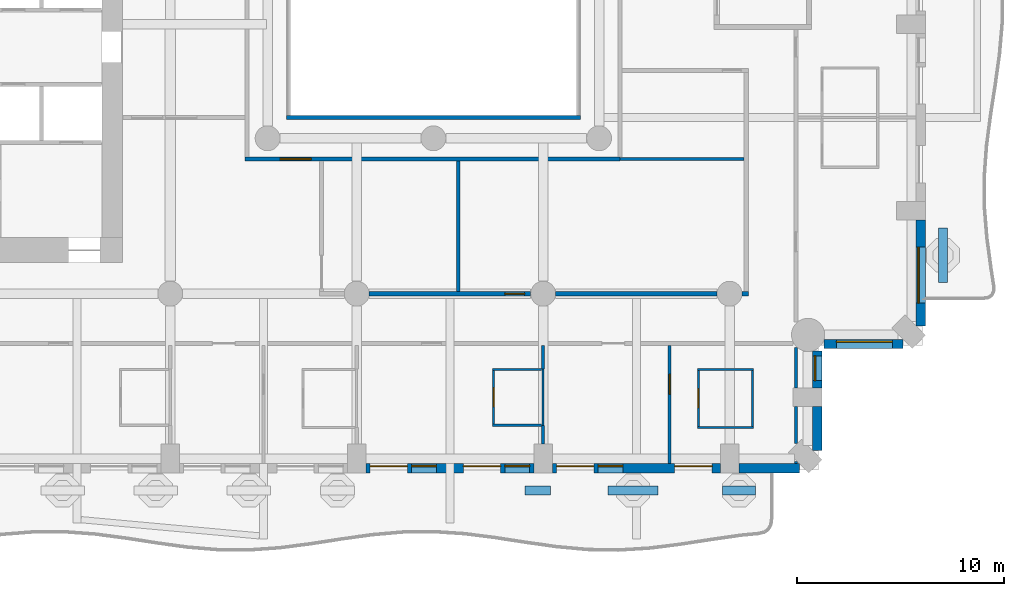
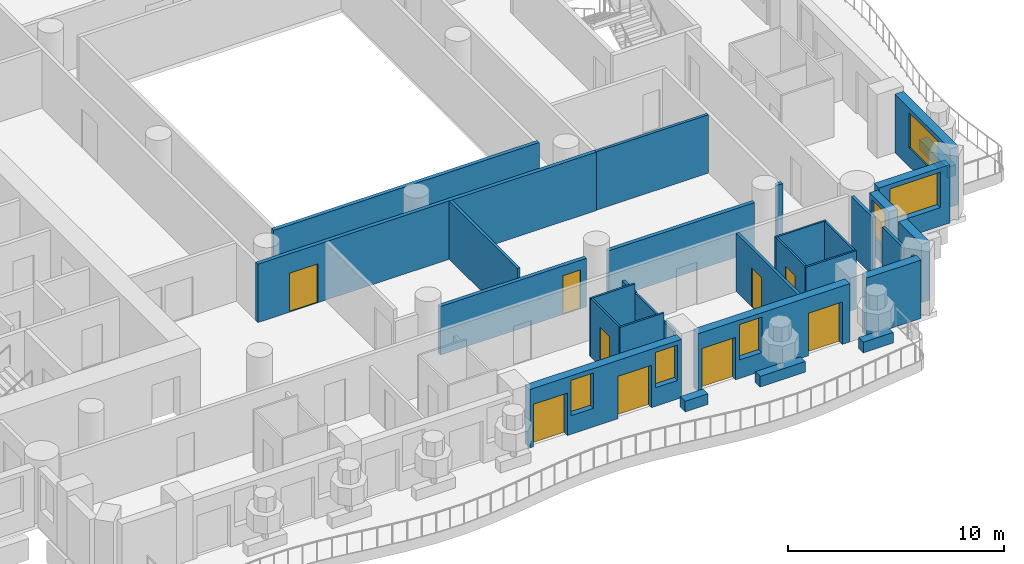
# One storey, part 7 of 24: 32 walls, 9 doors, 6 windows, 15 openings.
"""IFC4 building model written with IfcOpenShell, lengths in metres."""

from ifc_helpers import new_model, si_unit, direction, frame, frame_2d, origin, place, context, subcontext, project, spatial, rectangle, extrude, material, layer, layer_set, type_object, element, fill, save


model = new_model("IFC4")

# Units and contexts
model_context = context("Model", 3, precision=1e-05, world=origin(), true_north=direction((0.0, 1.0)))
body_context = subcontext(model_context, "Body", "Model", "MODEL_VIEW")
ifc_project = project(units=[si_unit("LENGTHUNIT", "METRE"), si_unit("AREAUNIT", "SQUARE_METRE"), si_unit("VOLUMEUNIT", "CUBIC_METRE"), si_unit("PLANEANGLEUNIT", "RADIAN"), si_unit("MASSUNIT", "GRAM", prefix="KILO")], contexts=[model_context])

# Site, building, storey
site_placement = place(None, origin())
site = spatial("IfcSite", under=ifc_project, at=site_placement, CompositionType="ELEMENT")
building_placement = place(site_placement, origin())
building = spatial("IfcBuilding", under=site, at=building_placement, Name="Cypress Arch Tower", CompositionType="ELEMENT")
storey_placement = place(building_placement, frame((0.0, 0.0, 102.300048828125)))
storey = spatial("IfcBuildingStorey", under=building, at=storey_placement, Name="L20", CompositionType="ELEMENT", Elevation=102.300048828125)

# Walls
ifc_material_1 = material(Name="Concrete C40/50, waterproofed", Category="concrete")
ifc_layer_1 = layer(ifc_material_1, 0.449951171875)
ifc_layer_set_1 = layer_set([ifc_layer_1], Name="Balcony planter wall PW450")
wall_type_1 = type_object("IfcWallType", Name="Balcony planter wall PW450", PredefinedType="SOLIDWALL", material=ifc_layer_set_1)
wall_1_placement = place(storey_placement, frame((5.419921875, -27.0, 0.0), z_axis=(0.0, 0.0, 1.0), x_axis=(1.0, 0.0, 0.0)))
element("IfcWall", 1, at=wall_1_placement, inside=storey, type_object=wall_type_1, Name="Balcony planter wall L20-A03.5", PredefinedType="SOLIDWALL", context=body_context, shape_type="SweptSolid", body=[
    extrude(rectangle(XDim=1.22998046875, YDim=0.449951171875, at=frame_2d((0.614990234375, 0.0))), origin(), (0.0, 0.0, 1.0), 0.599853515625),
])
wall_2_placement = place(storey_placement, frame((9.429931640625, -27.0, 0.0), z_axis=(0.0, 0.0, 1.0), x_axis=(1.0, 0.0, 0.0)))
element("IfcWall", 2, at=wall_2_placement, inside=storey, type_object=wall_type_1, Name="Balcony planter wall L20-A03.6", PredefinedType="SOLIDWALL", context=body_context, shape_type="SweptSolid", body=[
    extrude(rectangle(XDim=2.420166015625, YDim=0.449951171875, at=frame_2d((1.2099609375, 0.0))), origin(), (0.0, 0.0, 1.0), 0.599853515625),
])
wall_3_placement = place(storey_placement, frame((14.949951171875, -27.0, 0.0), z_axis=(0.0, 0.0, 1.0), x_axis=(1.0, 0.0, 0.0)))
element("IfcWall", 3, at=wall_3_placement, inside=storey, type_object=wall_type_1, Name="Balcony planter wall L20-A03.7", PredefinedType="SOLIDWALL", context=body_context, shape_type="SweptSolid", body=[
    extrude(rectangle(XDim=1.60009765625, YDim=0.449951171875, at=frame_2d((0.800048828125, 0.0))), origin(), (0.0, 0.0, 1.0), 0.599853515625),
])
wall_4_placement = place(storey_placement, frame((25.60009765625, -16.949951171875, 0.0), z_axis=(0.0, 0.0, 1.0), x_axis=(0.0, 1.0, 0.0)))
element("IfcWall", 4, at=wall_4_placement, inside=storey, type_object=wall_type_1, Name="Balcony planter wall L20-A06.1", PredefinedType="SOLIDWALL", context=body_context, shape_type="SweptSolid", body=[
    extrude(rectangle(XDim=2.6142578125, YDim=0.449951171875, at=frame_2d((1.30712890625, 0.0))), origin(), (0.0, 0.0, 1.0), 0.599853515625),
])

# Wall, openings, doors, windows
ifc_material_2 = material(Name="Brick (red buff blend)", Category="masonry")
ifc_layer_2 = layer(ifc_material_2, 0.449951171875)
ifc_layer_set_2 = layer_set([ifc_layer_2], Name="Brick pier and spandrel wall BW450")
wall_type_2 = type_object("IfcWallType", Name="Brick pier and spandrel wall BW450", PredefinedType="SOLIDWALL", material=ifc_layer_set_2)
wall_5_placement = place(storey_placement, frame((-2.25, -25.925048828125, 0.0), z_axis=(0.0, 0.0, 1.0), x_axis=(1.0, 0.0, 0.0)))
wall_5 = element("IfcWall", 5, at=wall_5_placement, inside=storey, type_object=wall_type_2, Name="Brick wall L20 A03.3", PredefinedType="SOLIDWALL", context=body_context, shape_type="SweptSolid", body=[
    extrude(rectangle(XDim=8.10009765625, YDim=0.449951171875, at=frame_2d((4.050048828125, 0.0))), origin(), (0.0, 0.0, 1.0), 3.300048828125),
])
opening_1_placement = place(wall_5_placement, frame((0.199951171875, 0.0, 0.0)))
opening_1 = element("IfcOpeningElement", 6, at=opening_1_placement, cuts=wall_5, Name="Opening D-L20-A03.3.1", PredefinedType="OPENING", context=body_context, shape_type="SweptSolid", body=[
    extrude(rectangle(XDim=1.800048828125, YDim=2.39990234375, at=frame_2d((0.89990234375, 1.199951171875))), frame((0.0, 0.23486328125, 0.0), z_axis=(0.0, -1.0, 0.0), x_axis=(1.0, 0.0, 0.0)), (0.0, 0.0, 1.0), 0.469970703125),
])
opening_2_placement = place(wall_5_placement, frame((2.199951171875, 0.0, 1.050048828125)))
opening_2 = element("IfcOpeningElement", 7, at=opening_2_placement, cuts=wall_5, Name="Opening W120HD", PredefinedType="OPENING", context=body_context, shape_type="SweptSolid", body=[
    extrude(rectangle(XDim=1.199951171875, YDim=2.0, at=frame_2d((0.60009765625, 1.0))), frame((0.0, 0.23486328125, 0.0), z_axis=(0.0, -1.0, 0.0), x_axis=(1.0, 0.0, 0.0)), (0.0, 0.0, 1.0), 0.469970703125),
])
opening_3_placement = place(wall_5_placement, frame((4.699951171875, 0.0, 0.0)))
opening_3 = element("IfcOpeningElement", 8, at=opening_3_placement, cuts=wall_5, Name="Opening D-L20-A03.3.2", PredefinedType="OPENING", context=body_context, shape_type="SweptSolid", body=[
    extrude(rectangle(XDim=1.800048828125, YDim=2.39990234375, at=frame_2d((0.89990234375, 1.199951171875))), frame((0.0, 0.23486328125, 0.0), z_axis=(0.0, -1.0, 0.0), x_axis=(1.0, 0.0, 0.0)), (0.0, 0.0, 1.0), 0.469970703125),
])
opening_4_placement = place(wall_5_placement, frame((6.699951171875, 0.0, 1.050048828125)))
opening_4 = element("IfcOpeningElement", 9, at=opening_4_placement, cuts=wall_5, Name="Opening W120HD", PredefinedType="OPENING", context=body_context, shape_type="SweptSolid", body=[
    extrude(rectangle(XDim=1.199951171875, YDim=2.0, at=frame_2d((0.60009765625, 1.0))), frame((0.0, 0.23486328125, 0.0), z_axis=(0.0, -1.0, 0.0), x_axis=(1.0, 0.0, 0.0)), (0.0, 0.0, 1.0), 0.469970703125),
])
ifc_material_3 = material(Name="Anodised aluminium, bronze finish, laminated low-emissivity double glazing, large-missile impact rated", Category="aluminium")
door_type_1 = type_object("IfcDoorType", Name="Balcony sliding door 1800x2400", OperationType="SLIDING_TO_LEFT", PredefinedType="DOOR", material=ifc_material_3)
door_1_placement = place(opening_1_placement, origin())
door_1 = element("IfcDoor", 10, at=door_1_placement, inside=storey, type_object=door_type_1, Name="Balcony door L20 A03.3.1", OperationType="SLIDING_TO_LEFT", OverallHeight=2.39990234375, OverallWidth=1.800048828125, PredefinedType="DOOR", context=body_context, shape_type="SweptSolid", body=[
    extrude(rectangle(XDim=1.800048828125, YDim=2.39990234375, at=frame_2d((0.89990234375, 1.199951171875))), frame((0.0, 0.1298828125, 0.0), z_axis=(0.0, -1.0, 0.0), x_axis=(1.0, 0.0, 0.0)), (0.0, 0.0, 1.0), 0.050048828125),
])
fill(opening_1, door_1)
door_2_placement = place(opening_3_placement, origin())
door_2 = element("IfcDoor", 11, at=door_2_placement, inside=storey, type_object=door_type_1, Name="Balcony door L20 A03.3.2", OperationType="SLIDING_TO_LEFT", OverallHeight=2.39990234375, OverallWidth=1.800048828125, PredefinedType="DOOR", context=body_context, shape_type="SweptSolid", body=[
    extrude(rectangle(XDim=1.800048828125, YDim=2.39990234375, at=frame_2d((0.89990234375, 1.199951171875))), frame((0.0, 0.1298828125, 0.0), z_axis=(0.0, -1.0, 0.0), x_axis=(1.0, 0.0, 0.0)), (0.0, 0.0, 1.0), 0.050048828125),
])
fill(opening_3, door_2)
ifc_material_4 = material(Name="Anodised aluminium, bronze finish, laminated low-emissivity double glazing, large-missile impact rated", Category="aluminium")
window_type_1 = type_object("IfcWindowType", Name="Window Hotel 1200x2000 debris-rated", PartitioningType="SINGLE_PANEL", PredefinedType="WINDOW", material=ifc_material_4)
window_1_placement = place(opening_2_placement, origin())
window_1 = element("IfcWindow", 12, at=window_1_placement, inside=storey, type_object=window_type_1, Name="Window L20 A03.3.1", OverallHeight=2.0, OverallWidth=1.199951171875, PartitioningType="SINGLE_PANEL", PredefinedType="WINDOW", context=body_context, shape_type="SweptSolid", body=[
    extrude(rectangle(XDim=1.199951171875, YDim=2.0, at=frame_2d((0.60009765625, 1.0))), frame((0.0, 0.135009765625, 0.0), z_axis=(0.0, -1.0, 0.0), x_axis=(1.0, 0.0, 0.0)), (0.0, 0.0, 1.0), 0.06005859375),
])
fill(opening_2, window_1)
window_2_placement = place(opening_4_placement, origin())
window_2 = element("IfcWindow", 13, at=window_2_placement, inside=storey, type_object=window_type_1, Name="Window L20 A03.3.2", OverallHeight=2.0, OverallWidth=1.199951171875, PartitioningType="SINGLE_PANEL", PredefinedType="WINDOW", context=body_context, shape_type="SweptSolid", body=[
    extrude(rectangle(XDim=1.199951171875, YDim=2.0, at=frame_2d((0.60009765625, 1.0))), frame((0.0, 0.135009765625, 0.0), z_axis=(0.0, -1.0, 0.0), x_axis=(1.0, 0.0, 0.0)), (0.0, 0.0, 1.0), 0.06005859375),
])
fill(opening_4, window_2)

# Wall, openings, doors, window
wall_6_placement = place(storey_placement, frame((6.75, -25.925048828125, 0.0), z_axis=(0.0, 0.0, 1.0), x_axis=(1.0, 0.0, 0.0)))
wall_6 = element("IfcWall", 14, at=wall_6_placement, inside=storey, type_object=wall_type_2, Name="Brick wall L20 A03.4", PredefinedType="SOLIDWALL", context=body_context, shape_type="SweptSolid", body=[
    extrude(rectangle(XDim=8.10009765625, YDim=0.449951171875, at=frame_2d((4.050048828125, 0.0))), origin(), (0.0, 0.0, 1.0), 3.300048828125),
])
opening_5_placement = place(wall_6_placement, frame((0.199951171875, 0.0, 0.0)))
opening_5 = element("IfcOpeningElement", 15, at=opening_5_placement, cuts=wall_6, Name="Opening D-L20-A03.4.1", PredefinedType="OPENING", context=body_context, shape_type="SweptSolid", body=[
    extrude(rectangle(XDim=1.800048828125, YDim=2.39990234375, at=frame_2d((0.89990234375, 1.199951171875))), frame((0.0, 0.23486328125, 0.0), z_axis=(0.0, -1.0, 0.0), x_axis=(1.0, 0.0, 0.0)), (0.0, 0.0, 1.0), 0.469970703125),
])
opening_6_placement = place(wall_6_placement, frame((2.199951171875, 0.0, 1.050048828125)))
opening_6 = element("IfcOpeningElement", 16, at=opening_6_placement, cuts=wall_6, Name="Opening W120HD", PredefinedType="OPENING", context=body_context, shape_type="SweptSolid", body=[
    extrude(rectangle(XDim=1.199951171875, YDim=2.0, at=frame_2d((0.60009765625, 1.0))), frame((0.0, 0.23486328125, 0.0), z_axis=(0.0, -1.0, 0.0), x_axis=(1.0, 0.0, 0.0)), (0.0, 0.0, 1.0), 0.469970703125),
])
opening_7_placement = place(wall_6_placement, frame((5.89990234375, 0.0, 0.0)))
opening_7 = element("IfcOpeningElement", 17, at=opening_7_placement, cuts=wall_6, Name="Opening D-L20-A03.4.2", PredefinedType="OPENING", context=body_context, shape_type="SweptSolid", body=[
    extrude(rectangle(XDim=1.800048828125, YDim=2.39990234375, at=frame_2d((0.89990234375, 1.199951171875))), frame((0.0, 0.23486328125, 0.0), z_axis=(0.0, -1.0, 0.0), x_axis=(1.0, 0.0, 0.0)), (0.0, 0.0, 1.0), 0.469970703125),
])
door_3_placement = place(opening_5_placement, origin())
door_3 = element("IfcDoor", 18, at=door_3_placement, inside=storey, type_object=door_type_1, Name="Balcony door L20 A03.4.1", OperationType="SLIDING_TO_LEFT", OverallHeight=2.39990234375, OverallWidth=1.800048828125, PredefinedType="DOOR", context=body_context, shape_type="SweptSolid", body=[
    extrude(rectangle(XDim=1.800048828125, YDim=2.39990234375, at=frame_2d((0.89990234375, 1.199951171875))), frame((0.0, 0.1298828125, 0.0), z_axis=(0.0, -1.0, 0.0), x_axis=(1.0, 0.0, 0.0)), (0.0, 0.0, 1.0), 0.050048828125),
])
fill(opening_5, door_3)
door_4_placement = place(opening_7_placement, origin())
door_4 = element("IfcDoor", 19, at=door_4_placement, inside=storey, type_object=door_type_1, Name="Balcony door L20 A03.4.2", OperationType="SLIDING_TO_LEFT", OverallHeight=2.39990234375, OverallWidth=1.800048828125, PredefinedType="DOOR", context=body_context, shape_type="SweptSolid", body=[
    extrude(rectangle(XDim=1.800048828125, YDim=2.39990234375, at=frame_2d((0.89990234375, 1.199951171875))), frame((0.0, 0.1298828125, 0.0), z_axis=(0.0, -1.0, 0.0), x_axis=(1.0, 0.0, 0.0)), (0.0, 0.0, 1.0), 0.050048828125),
])
fill(opening_7, door_4)
window_3_placement = place(opening_6_placement, origin())
window_3 = element("IfcWindow", 20, at=window_3_placement, inside=storey, type_object=window_type_1, Name="Window L20 A03.4.1", OverallHeight=2.0, OverallWidth=1.199951171875, PartitioningType="SINGLE_PANEL", PredefinedType="WINDOW", context=body_context, shape_type="SweptSolid", body=[
    extrude(rectangle(XDim=1.199951171875, YDim=2.0, at=frame_2d((0.60009765625, 1.0))), frame((0.0, 0.135009765625, 0.0), z_axis=(0.0, -1.0, 0.0), x_axis=(1.0, 0.0, 0.0)), (0.0, 0.0, 1.0), 0.06005859375),
])
fill(opening_6, window_3)

# Walls
wall_7_placement = place(storey_placement, frame((15.75, -25.925048828125, 0.0), z_axis=(0.0, 0.0, 1.0), x_axis=(1.0, 0.0, 0.0)))
element("IfcWall", 21, at=wall_7_placement, inside=storey, type_object=wall_type_2, Name="Brick wall L20 A03.5", PredefinedType="SOLIDWALL", context=body_context, shape_type="SweptSolid", body=[
    extrude(rectangle(XDim=2.91357421875, YDim=0.449951171875, at=frame_2d((1.456787109375, 0.0))), origin(), (0.0, 0.0, 1.0), 3.300048828125),
])
wall_8_placement = place(storey_placement, frame((19.52490234375, -25.063720703125, 0.0), z_axis=(0.0, 0.0, 1.0), x_axis=(0.0, 1.0, 0.0)))
element("IfcWall", 22, at=wall_8_placement, inside=storey, type_object=wall_type_2, Name="Brick wall L20 A04.0", PredefinedType="SOLIDWALL", context=body_context, shape_type="SweptSolid", body=[
    extrude(rectangle(XDim=2.11376953125, YDim=0.449951171875, at=frame_2d((1.056884765625, 0.0))), origin(), (0.0, 0.0, 1.0), 3.300048828125),
])

# Wall, opening, window
wall_9_placement = place(storey_placement, frame((19.52490234375, -22.050048828125, 0.0), z_axis=(0.0, 0.0, 1.0), x_axis=(0.0, 1.0, 0.0)))
wall_9 = element("IfcWall", 23, at=wall_9_placement, inside=storey, type_object=wall_type_2, Name="Brick wall L20 A04.1", PredefinedType="SOLIDWALL", context=body_context, shape_type="SweptSolid", body=[
    extrude(rectangle(XDim=1.79150390625, YDim=0.449951171875, at=frame_2d((0.895751953125, 0.0))), origin(), (0.0, 0.0, 1.0), 3.300048828125),
])
opening_8_placement = place(wall_9_placement, frame((0.35009765625, 0.0, 1.050048828125)))
opening_8 = element("IfcOpeningElement", 24, at=opening_8_placement, cuts=wall_9, Name="Opening W120H", PredefinedType="OPENING", context=body_context, shape_type="SweptSolid", body=[
    extrude(rectangle(XDim=1.199951171875, YDim=2.0, at=frame_2d((0.60009765625, 1.0))), frame((0.0, 0.23486328125, 0.0), z_axis=(0.0, -1.0, 0.0), x_axis=(1.0, 0.0, 0.0)), (0.0, 0.0, 1.0), 0.469970703125),
])
ifc_material_5 = material(Name="Anodised aluminium, bronze finish, clear low-emissivity double glazing", Category="aluminium")
window_type_2 = type_object("IfcWindowType", Name="Window Hotel 1200x2000", PartitioningType="SINGLE_PANEL", PredefinedType="WINDOW", material=ifc_material_5)
window_4_placement = place(opening_8_placement, origin())
window_4 = element("IfcWindow", 25, at=window_4_placement, inside=storey, type_object=window_type_2, Name="Window L20 A04.1.1", OverallHeight=2.0, OverallWidth=1.199951171875, PartitioningType="SINGLE_PANEL", PredefinedType="WINDOW", context=body_context, shape_type="SweptSolid", body=[
    extrude(rectangle(XDim=1.199951171875, YDim=2.0, at=frame_2d((0.60009765625, 1.0))), frame((0.0, 0.135009765625, 0.0), z_axis=(0.0, -1.0, 0.0), x_axis=(1.0, 0.0, 0.0)), (0.0, 0.0, 1.0), 0.06005859375),
])
fill(opening_8, window_4)

wall_10_placement = place(storey_placement, frame((19.8583984375, -19.925048828125, 0.0), z_axis=(0.0, 0.0, 1.0), x_axis=(1.0, 0.0, 0.0)))
wall_10 = element("IfcWall", 26, at=wall_10_placement, inside=storey, type_object=wall_type_2, Name="Brick wall L20 A05.0", PredefinedType="SOLIDWALL", context=body_context, shape_type="SweptSolid", body=[
    extrude(rectangle(XDim=3.80517578125, YDim=0.449951171875, at=frame_2d((1.902587890625, 0.0))), origin(), (0.0, 0.0, 1.0), 3.300048828125),
])
opening_9_placement = place(wall_10_placement, frame((0.591552734375, 0.0, 1.050048828125)))
opening_9 = element("IfcOpeningElement", 27, at=opening_9_placement, cuts=wall_10, Name="Opening W270H", PredefinedType="OPENING", context=body_context, shape_type="SweptSolid", body=[
    extrude(rectangle(XDim=2.699951171875, YDim=2.0, at=frame_2d((1.35009765625, 1.0))), frame((0.0, 0.23486328125, 0.0), z_axis=(0.0, -1.0, 0.0), x_axis=(1.0, 0.0, 0.0)), (0.0, 0.0, 1.0), 0.469970703125),
])
ifc_material_6 = material(Name="Anodised aluminium, bronze finish, clear low-emissivity double glazing", Category="aluminium")
window_type_3 = type_object("IfcWindowType", Name="Window Hotel 2700x2000", PartitioningType="SINGLE_PANEL", PredefinedType="WINDOW", material=ifc_material_6)
window_5_placement = place(opening_9_placement, origin())
window_5 = element("IfcWindow", 28, at=window_5_placement, inside=storey, type_object=window_type_3, Name="Window L20 A05.0.1", OverallHeight=2.0, OverallWidth=2.699951171875, PartitioningType="SINGLE_PANEL", PredefinedType="WINDOW", context=body_context, shape_type="SweptSolid", body=[
    extrude(rectangle(XDim=2.699951171875, YDim=2.0, at=frame_2d((1.35009765625, 1.0))), frame((0.0, 0.135009765625, 0.0), z_axis=(0.0, -1.0, 0.0), x_axis=(1.0, 0.0, 0.0)), (0.0, 0.0, 1.0), 0.06005859375),
])
fill(opening_9, window_5)

wall_11_placement = place(storey_placement, frame((24.52490234375, -19.063720703125, 0.0), z_axis=(0.0, 0.0, 1.0), x_axis=(0.0, 1.0, 0.0)))
wall_11 = element("IfcWall", 29, at=wall_11_placement, inside=storey, type_object=wall_type_2, Name="Brick wall L20 A06.0", PredefinedType="SOLIDWALL", context=body_context, shape_type="SweptSolid", body=[
    extrude(rectangle(XDim=5.11376953125, YDim=0.449951171875, at=frame_2d((2.556884765625, 0.0))), origin(), (0.0, 0.0, 1.0), 3.300048828125),
])
opening_10_placement = place(wall_11_placement, frame((1.113525390625, 0.0, 1.050048828125)))
opening_10 = element("IfcOpeningElement", 30, at=opening_10_placement, cuts=wall_11, Name="Opening W270HD", PredefinedType="OPENING", context=body_context, shape_type="SweptSolid", body=[
    extrude(rectangle(XDim=2.699951171875, YDim=2.0, at=frame_2d((1.35009765625, 1.0))), frame((0.0, 0.23486328125, 0.0), z_axis=(0.0, -1.0, 0.0), x_axis=(1.0, 0.0, 0.0)), (0.0, 0.0, 1.0), 0.469970703125),
])
ifc_material_7 = material(Name="Anodised aluminium, bronze finish, laminated low-emissivity double glazing, large-missile impact rated", Category="aluminium")
window_type_4 = type_object("IfcWindowType", Name="Window Hotel 2700x2000 debris-rated", PartitioningType="SINGLE_PANEL", PredefinedType="WINDOW", material=ifc_material_7)
window_6_placement = place(opening_10_placement, origin())
window_6 = element("IfcWindow", 31, at=window_6_placement, inside=storey, type_object=window_type_4, Name="Window L20 A06.0.1", OverallHeight=2.0, OverallWidth=2.699951171875, PartitioningType="SINGLE_PANEL", PredefinedType="WINDOW", context=body_context, shape_type="SweptSolid", body=[
    extrude(rectangle(XDim=2.699951171875, YDim=2.0, at=frame_2d((1.35009765625, 1.0))), frame((0.0, 0.135009765625, 0.0), z_axis=(0.0, -1.0, 0.0), x_axis=(1.0, 0.0, 0.0)), (0.0, 0.0, 1.0), 0.06005859375),
])
fill(opening_10, window_6)

# Wall, opening, door
ifc_material_8 = material(Name="Concrete blockwork, plastered, rated", Category="masonry")
ifc_layer_3 = layer(ifc_material_8, 0.199951171875)
ifc_layer_set_3 = layer_set([ifc_layer_3], Name="Corridor wall FW200")
wall_type_3 = type_object("IfcWallType", Name="Corridor wall FW200", PredefinedType="PARTITIONING", material=ifc_layer_set_3)
wall_12_placement = place(storey_placement, frame((-8.10009765625, -11.0, 0.0), z_axis=(0.0, 0.0, 1.0), x_axis=(1.0, 0.0, 0.0)))
wall_12 = element("IfcWall", 32, at=wall_12_placement, inside=storey, type_object=wall_type_3, Name="Corridor wall", PredefinedType="PARTITIONING", context=body_context, shape_type="SweptSolid", body=[
    extrude(rectangle(XDim=18.10009765625, YDim=0.199951171875, at=frame_2d((9.050048828125, 0.0))), origin(), (0.0, 0.0, 1.0), 3.300048828125),
])
opening_11_placement = place(wall_12_placement, frame((1.699951171875, 0.0, 0.0)))
opening_11 = element("IfcOpeningElement", 33, at=opening_11_placement, cuts=wall_12, Name="Opening D04", PredefinedType="OPENING", context=body_context, shape_type="SweptSolid", body=[
    extrude(rectangle(XDim=1.5, YDim=2.199951171875, at=frame_2d((0.75, 1.10009765625))), frame((0.0, 0.10986328125, 0.0), z_axis=(0.0, -1.0, 0.0), x_axis=(1.0, 0.0, 0.0)), (0.0, 0.0, 1.0), 0.219970703125),
])
ifc_material_9 = material(Name="Timber double door", Category="wood")
door_type_2 = type_object("IfcDoorType", Name="Double door D04 1500x2200", OperationType="DOUBLE_DOOR_SINGLE_SWING", PredefinedType="DOOR", material=ifc_material_9)
door_5_placement = place(opening_11_placement, origin())
door_5 = element("IfcDoor", 34, at=door_5_placement, inside=storey, type_object=door_type_2, Name="Double door", OperationType="DOUBLE_DOOR_SINGLE_SWING", OverallHeight=2.199951171875, OverallWidth=1.5, PredefinedType="DOOR", context=body_context, shape_type="SweptSolid", body=[
    extrude(rectangle(XDim=1.5, YDim=2.199951171875, at=frame_2d((0.75, 1.10009765625))), frame((0.0, 0.02490234375, 0.0), z_axis=(0.0, -1.0, 0.0), x_axis=(1.0, 0.0, 0.0)), (0.0, 0.0, 1.0), 0.050048828125),
])
fill(opening_11, door_5)

# Wall
wall_13_placement = place(storey_placement, frame((-6.10009765625, -9.0, 0.0), z_axis=(0.0, 0.0, 1.0), x_axis=(1.0, 0.0, 0.0)))
element("IfcWall", 35, at=wall_13_placement, inside=storey, type_object=wall_type_3, Name="Corridor wall", PredefinedType="PARTITIONING", context=body_context, shape_type="SweptSolid", body=[
    extrude(rectangle(XDim=14.2001953125, YDim=0.199951171875, at=frame_2d((7.10009765625, 0.0))), origin(), (0.0, 0.0, 1.0), 3.300048828125),
])

# Wall, opening, door
wall_14_placement = place(storey_placement, frame((-2.10009765625, -17.5, 0.0), z_axis=(0.0, 0.0, 1.0), x_axis=(1.0, 0.0, 0.0)))
wall_14 = element("IfcWall", 36, at=wall_14_placement, inside=storey, type_object=wall_type_3, Name="Corridor wall", PredefinedType="PARTITIONING", context=body_context, shape_type="SweptSolid", body=[
    extrude(rectangle(XDim=7.800048828125, YDim=0.199951171875, at=frame_2d((3.89990234375, 0.0))), origin(), (0.0, 0.0, 1.0), 2.75),
])
opening_12_placement = place(wall_14_placement, frame((6.550048828125, 0.0, 0.0)))
opening_12 = element("IfcOpeningElement", 37, at=opening_12_placement, cuts=wall_14, Name="Opening D02", PredefinedType="OPENING", context=body_context, shape_type="SweptSolid", body=[
    extrude(rectangle(XDim=0.949951171875, YDim=2.199951171875, at=frame_2d((0.47509765625, 1.10009765625))), frame((0.0, 0.10986328125, 0.0), z_axis=(0.0, -1.0, 0.0), x_axis=(1.0, 0.0, 0.0)), (0.0, 0.0, 1.0), 0.219970703125),
])
ifc_material_10 = material(Name="Timber flush door, fire resisting", Category="wood")
door_type_3 = type_object("IfcDoorType", Name="Room door D02 950x2200", OperationType="SINGLE_SWING_LEFT", PredefinedType="DOOR", material=ifc_material_10)
door_6_placement = place(opening_12_placement, origin())
door_6 = element("IfcDoor", 38, at=door_6_placement, inside=storey, type_object=door_type_3, Name="Room door", OperationType="SINGLE_SWING_RIGHT", OverallHeight=2.199951171875, OverallWidth=0.949951171875, PredefinedType="DOOR", context=body_context, shape_type="SweptSolid", body=[
    extrude(rectangle(XDim=0.949951171875, YDim=2.199951171875, at=frame_2d((0.47509765625, 1.10009765625))), frame((0.0, 0.02490234375, 0.0), z_axis=(0.0, -1.0, 0.0), x_axis=(1.0, 0.0, 0.0)), (0.0, 0.0, 1.0), 0.050048828125),
])
fill(opening_12, door_6)

# Walls
wall_15_placement = place(storey_placement, frame((6.89990234375, -17.5, 0.0), z_axis=(0.0, 0.0, 1.0), x_axis=(1.0, 0.0, 0.0)))
element("IfcWall", 39, at=wall_15_placement, inside=storey, type_object=wall_type_3, Name="Corridor wall", PredefinedType="PARTITIONING", context=body_context, shape_type="SweptSolid", body=[
    extrude(rectangle(XDim=7.800048828125, YDim=0.199951171875, at=frame_2d((3.89990234375, 0.0))), origin(), (0.0, 0.0, 1.0), 2.75),
])
wall_16_placement = place(storey_placement, frame((15.89990234375, -17.5, 0.0), z_axis=(0.0, 0.0, 1.0), x_axis=(1.0, 0.0, 0.0)))
element("IfcWall", 40, at=wall_16_placement, inside=storey, type_object=wall_type_3, Name="Corridor wall", PredefinedType="PARTITIONING", context=body_context, shape_type="SweptSolid", body=[
    extrude(rectangle(XDim=0.300048828125, YDim=0.199951171875, at=frame_2d((0.14990234375, 0.0))), origin(), (0.0, 0.0, 1.0), 3.300048828125),
])
ifc_material_11 = material(Name="Blockwork, plastered both sides", Category="masonry")
ifc_layer_4 = layer(ifc_material_11, 0.14990234375)
ifc_layer_set_4 = layer_set([ifc_layer_4], Name="Partition PW150")
wall_type_4 = type_object("IfcWallType", Name="Partition PW150", PredefinedType="PARTITIONING", material=ifc_layer_set_4)
wall_17_placement = place(storey_placement, frame((2.199951171875, -17.39990234375, 0.0), z_axis=(0.0, 0.0, 1.0), x_axis=(0.0, 1.0, 0.0)))
element("IfcWall", 41, at=wall_17_placement, inside=storey, type_object=wall_type_4, Name="Partition", PredefinedType="PARTITIONING", context=body_context, shape_type="SweptSolid", body=[
    extrude(rectangle(XDim=6.2998046875, YDim=0.14990234375, at=frame_2d((3.14990234375, 0.0))), origin(), (0.0, 0.0, 1.0), 3.300048828125),
])
wall_18_placement = place(storey_placement, frame((6.300048828125, -24.75, 0.0), z_axis=(0.0, 0.0, 1.0), x_axis=(0.0, 1.0, 0.0)))
element("IfcWall", 42, at=wall_18_placement, inside=storey, type_object=wall_type_4, Name="Partition", PredefinedType="PARTITIONING", context=body_context, shape_type="SweptSolid", body=[
    extrude(rectangle(XDim=0.8798828125, YDim=0.14990234375, at=frame_2d((0.43994140625, 0.0))), origin(), (0.0, 0.0, 1.0), 2.75),
])
wall_19_placement = place(storey_placement, frame((6.300048828125, -21.1298828125, 0.0), z_axis=(0.0, 0.0, 1.0), x_axis=(0.0, 1.0, 0.0)))
element("IfcWall", 43, at=wall_19_placement, inside=storey, type_object=wall_type_4, Name="Partition", PredefinedType="PARTITIONING", context=body_context, shape_type="SweptSolid", body=[
    extrude(rectangle(XDim=1.1298828125, YDim=0.14990234375, at=frame_2d((0.56494140625, 0.0))), origin(), (0.0, 0.0, 1.0), 2.75),
])
wall_20_placement = place(storey_placement, frame((10.0, -11.0, 0.0), z_axis=(0.0, 0.0, 1.0), x_axis=(1.0, 0.0, 0.0)))
element("IfcWall", 44, at=wall_20_placement, inside=storey, type_object=wall_type_4, Name="Partition", PredefinedType="PARTITIONING", context=body_context, shape_type="SweptSolid", body=[
    extrude(rectangle(XDim=6.0, YDim=0.14990234375, at=frame_2d((3.0, 0.0))), origin(), (0.0, 0.0, 1.0), 3.300048828125),
])

# Wall, opening, door
wall_21_placement = place(storey_placement, frame((12.39990234375, -25.699951171875, 0.0), z_axis=(0.0, 0.0, 1.0), x_axis=(0.0, 1.0, 0.0)))
wall_21 = element("IfcWall", 45, at=wall_21_placement, inside=storey, type_object=wall_type_4, Name="Partition", PredefinedType="PARTITIONING", context=body_context, shape_type="SweptSolid", body=[
    extrude(rectangle(XDim=5.699951171875, YDim=0.14990234375, at=frame_2d((2.85009765625, 0.0))), origin(), (0.0, 0.0, 1.0), 3.300048828125),
])
opening_13_placement = place(wall_21_placement, frame((3.35009765625, 0.0, 0.0)))
opening_13 = element("IfcOpeningElement", 46, at=opening_13_placement, cuts=wall_21, Name="Opening D12", PredefinedType="OPENING", context=body_context, shape_type="SweptSolid", body=[
    extrude(rectangle(XDim=0.949951171875, YDim=2.199951171875, at=frame_2d((0.47509765625, 1.10009765625))), frame((0.0, 0.0849609375, 0.0), z_axis=(0.0, -1.0, 0.0), x_axis=(1.0, 0.0, 0.0)), (0.0, 0.0, 1.0), 0.169921875),
])
ifc_material_12 = material(Name="Timber flush door", Category="wood")
door_type_4 = type_object("IfcDoorType", Name="Room door D12 950x2200", OperationType="SINGLE_SWING_LEFT", PredefinedType="DOOR", material=ifc_material_12)
door_7_placement = place(opening_13_placement, origin())
door_7 = element("IfcDoor", 47, at=door_7_placement, inside=storey, type_object=door_type_4, Name="Room door", OperationType="SINGLE_SWING_RIGHT", OverallHeight=2.199951171875, OverallWidth=0.949951171875, PredefinedType="DOOR", context=body_context, shape_type="SweptSolid", body=[
    extrude(rectangle(XDim=0.949951171875, YDim=2.199951171875, at=frame_2d((0.47509765625, 1.10009765625))), frame((0.0, 0.02490234375, 0.0), z_axis=(0.0, -1.0, 0.0), x_axis=(1.0, 0.0, 0.0)), (0.0, 0.0, 1.0), 0.050048828125),
])
fill(opening_13, door_7)

# Walls
wall_22_placement = place(storey_placement, frame((18.5, -25.699951171875, 0.0), z_axis=(0.0, 0.0, 1.0), x_axis=(0.0, 1.0, 0.0)))
element("IfcWall", 48, at=wall_22_placement, inside=storey, type_object=wall_type_4, Name="Partition", PredefinedType="PARTITIONING", context=body_context, shape_type="SweptSolid", body=[
    extrude(rectangle(XDim=0.103515625, YDim=0.14990234375, at=frame_2d((0.0517578125, 0.0))), origin(), (0.0, 0.0, 1.0), 3.300048828125),
])
wall_23_placement = place(storey_placement, frame((18.5, -24.7236328125, 0.0), z_axis=(0.0, 0.0, 1.0), x_axis=(0.0, 1.0, 0.0)))
element("IfcWall", 49, at=wall_23_placement, inside=storey, type_object=wall_type_4, Name="Partition", PredefinedType="PARTITIONING", context=body_context, shape_type="SweptSolid", body=[
    extrude(rectangle(XDim=1.773681640625, YDim=0.14990234375, at=frame_2d((0.88671875, 0.0))), origin(), (0.0, 0.0, 1.0), 3.300048828125),
])
wall_24_placement = place(storey_placement, frame((18.5, -22.050048828125, 0.0), z_axis=(0.0, 0.0, 1.0), x_axis=(0.0, 1.0, 0.0)))
element("IfcWall", 50, at=wall_24_placement, inside=storey, type_object=wall_type_4, Name="Partition", PredefinedType="PARTITIONING", context=body_context, shape_type="SweptSolid", body=[
    extrude(rectangle(XDim=1.963623046875, YDim=0.14990234375, at=frame_2d((0.98193359375, 0.0))), origin(), (0.0, 0.0, 1.0), 3.300048828125),
])

# Wall, opening, door
ifc_material_13 = material(Name="Moisture resistant board on steel studs, tiled", Category="steel")
ifc_layer_5 = layer(ifc_material_13, 0.10009765625)
ifc_layer_set_5 = layer_set([ifc_layer_5], Name="Wet wall PW100")
wall_type_5 = type_object("IfcWallType", Name="Wet wall PW100", PredefinedType="PARTITIONING", material=ifc_layer_set_5)
wall_25_placement = place(storey_placement, frame((3.904052734375, -23.800048828125, 0.0), z_axis=(0.0, 0.0, 1.0), x_axis=(0.0, 1.0, 0.0)))
wall_25 = element("IfcWall", 51, at=wall_25_placement, inside=storey, type_object=wall_type_5, Name="Wet wall", PredefinedType="PARTITIONING", context=body_context, shape_type="SweptSolid", body=[
    extrude(rectangle(XDim=2.60009765625, YDim=0.10009765625, at=frame_2d((1.300048828125, 0.0))), origin(), (0.0, 0.0, 1.0), 3.300048828125),
])
opening_14_placement = place(wall_25_placement, frame((0.85009765625, 0.0, 0.0)))
opening_14 = element("IfcOpeningElement", 52, at=opening_14_placement, cuts=wall_25, Name="Opening D03", PredefinedType="OPENING", context=body_context, shape_type="SweptSolid", body=[
    extrude(rectangle(XDim=0.89990234375, YDim=2.199951171875, at=frame_2d((0.449951171875, 1.10009765625))), frame((0.0, 0.06005859375, 0.0), z_axis=(0.0, -1.0, 0.0), x_axis=(1.0, 0.0, 0.0)), (0.0, 0.0, 1.0), 0.1201171875),
])
ifc_material_14 = material(Name="Timber flush door, moisture resistant", Category="wood")
door_type_5 = type_object("IfcDoorType", Name="Bathroom door D03 900x2200", OperationType="SINGLE_SWING_LEFT", PredefinedType="DOOR", material=ifc_material_14)
door_8_placement = place(opening_14_placement, origin())
door_8 = element("IfcDoor", 53, at=door_8_placement, inside=storey, type_object=door_type_5, Name="Bathroom door", OperationType="SINGLE_SWING_RIGHT", OverallHeight=2.199951171875, OverallWidth=0.89990234375, PredefinedType="DOOR", context=body_context, shape_type="SweptSolid", body=[
    extrude(rectangle(XDim=0.89990234375, YDim=2.199951171875, at=frame_2d((0.449951171875, 1.10009765625))), frame((0.0, 0.02490234375, 0.0), z_axis=(0.0, -1.0, 0.0), x_axis=(1.0, 0.0, 0.0)), (0.0, 0.0, 1.0), 0.050048828125),
])
fill(opening_14, door_8)

# Walls
for number, where, z_axis, x_axis, name in (
    (54, (3.85400390625, -23.85009765625, 0.0), (0.0, 0.0, 1.0), (1.0, 0.0, 0.0), "Wet wall"),
    (55, (3.85400390625, -21.14990234375, 0.0), (0.0, 0.0, 1.0), (1.0, 0.0, 0.0), "Wet wall"),
):
    element("IfcWall", number, at=place(storey_placement, frame(where, z_axis=z_axis, x_axis=x_axis)), inside=storey, type_object=wall_type_5, Name=name, PredefinedType="PARTITIONING", context=body_context, shape_type="SweptSolid", body=[
        extrude(rectangle(XDim=2.37109375, YDim=0.10009765625, at=frame_2d((1.185546875, 0.0))), origin(), (0.0, 0.0, 1.0), 3.300048828125),
    ])
wall_26_placement = place(storey_placement, frame((6.300048828125, -23.8701171875, 0.0), z_axis=(0.0, 0.0, 1.0), x_axis=(0.0, 1.0, 0.0)))
element("IfcWall", 56, at=wall_26_placement, inside=storey, type_object=wall_type_5, Name="Wet wall", PredefinedType="PARTITIONING", context=body_context, shape_type="SweptSolid", body=[
    extrude(rectangle(XDim=2.740234375, YDim=0.10009765625, at=frame_2d((1.3701171875, 0.0))), origin(), (0.0, 0.0, 1.0), 2.75),
])

# Wall, opening, door
wall_27_placement = place(storey_placement, frame((13.7958984375, -23.89990234375, 0.0), z_axis=(0.0, 0.0, 1.0), x_axis=(0.0, 1.0, 0.0)))
wall_27 = element("IfcWall", 57, at=wall_27_placement, inside=storey, type_object=wall_type_5, Name="Wet wall", PredefinedType="PARTITIONING", context=body_context, shape_type="SweptSolid", body=[
    extrude(rectangle(XDim=2.699951171875, YDim=0.10009765625, at=frame_2d((1.35009765625, 0.0))), origin(), (0.0, 0.0, 1.0), 3.300048828125),
])
opening_15_placement = place(wall_27_placement, frame((0.89990234375, 0.0, 0.0)))
opening_15 = element("IfcOpeningElement", 58, at=opening_15_placement, cuts=wall_27, Name="Opening D03", PredefinedType="OPENING", context=body_context, shape_type="SweptSolid", body=[
    extrude(rectangle(XDim=0.89990234375, YDim=2.199951171875, at=frame_2d((0.449951171875, 1.10009765625))), frame((0.0, 0.06005859375, 0.0), z_axis=(0.0, -1.0, 0.0), x_axis=(1.0, 0.0, 0.0)), (0.0, 0.0, 1.0), 0.1201171875),
])
door_9_placement = place(opening_15_placement, origin())
door_9 = element("IfcDoor", 59, at=door_9_placement, inside=storey, type_object=door_type_5, Name="Bathroom door", OperationType="SINGLE_SWING_LEFT", OverallHeight=2.199951171875, OverallWidth=0.89990234375, PredefinedType="DOOR", context=body_context, shape_type="SweptSolid", body=[
    extrude(rectangle(XDim=0.89990234375, YDim=2.199951171875, at=frame_2d((0.449951171875, 1.10009765625))), frame((0.0, 0.02490234375, 0.0), z_axis=(0.0, -1.0, 0.0), x_axis=(1.0, 0.0, 0.0)), (0.0, 0.0, 1.0), 0.050048828125),
])
fill(opening_15, door_9)

# Walls
for number, where, z_axis, x_axis, name in (
    (60, (13.74609375, -23.949951171875, 0.0), (0.0, 0.0, 1.0), (1.0, 0.0, 0.0), "Wet wall"),
    (61, (13.74609375, -21.14990234375, 0.0), (0.0, 0.0, 1.0), (1.0, 0.0, 0.0), "Wet wall"),
    (62, (16.39599609375, -23.89990234375, 0.0), (0.0, 0.0, 1.0), (0.0, 1.0, 0.0), "Wet wall"),
):
    element("IfcWall", number, at=place(storey_placement, frame(where, z_axis=z_axis, x_axis=x_axis)), inside=storey, type_object=wall_type_5, Name=name, PredefinedType="PARTITIONING", context=body_context, shape_type="SweptSolid", body=[
        extrude(rectangle(XDim=2.699951171875, YDim=0.10009765625, at=frame_2d((1.35009765625, 0.0))), origin(), (0.0, 0.0, 1.0), 3.300048828125),
    ])

save(model, "model.ifc")
